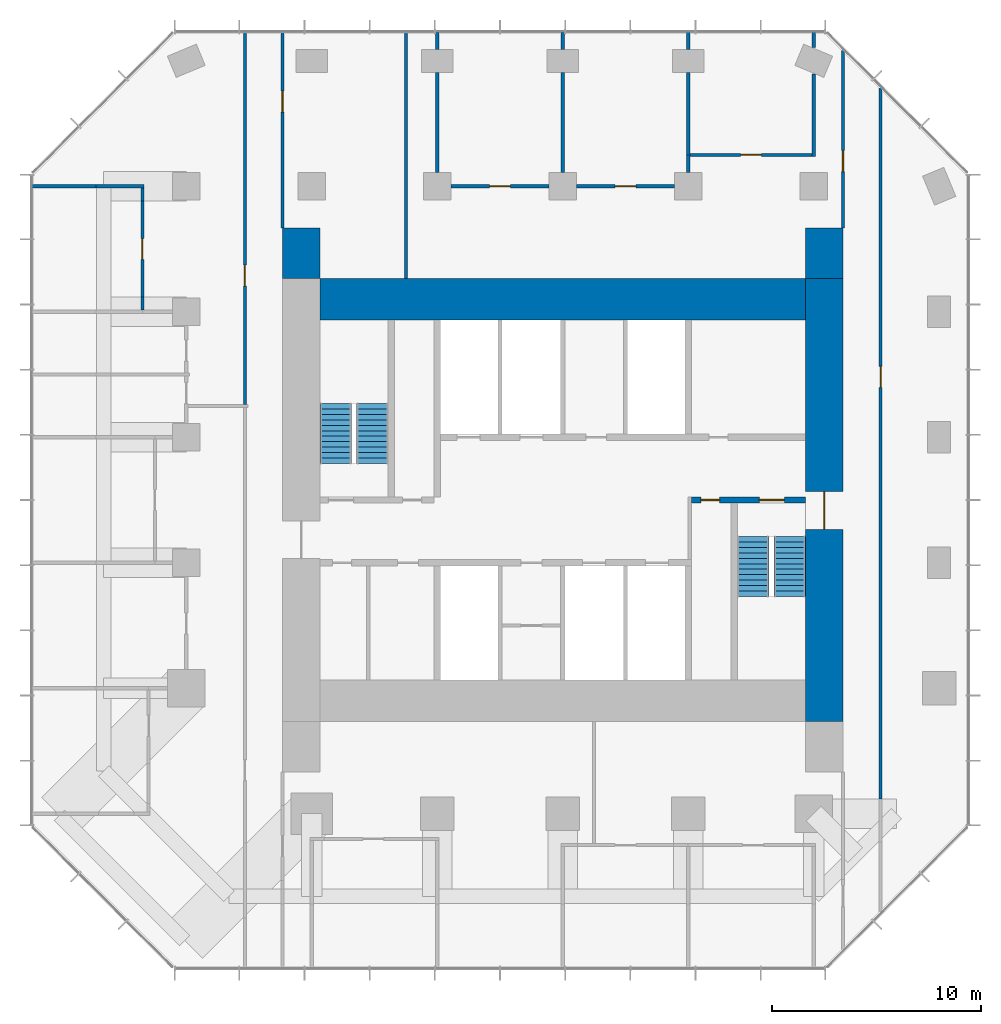
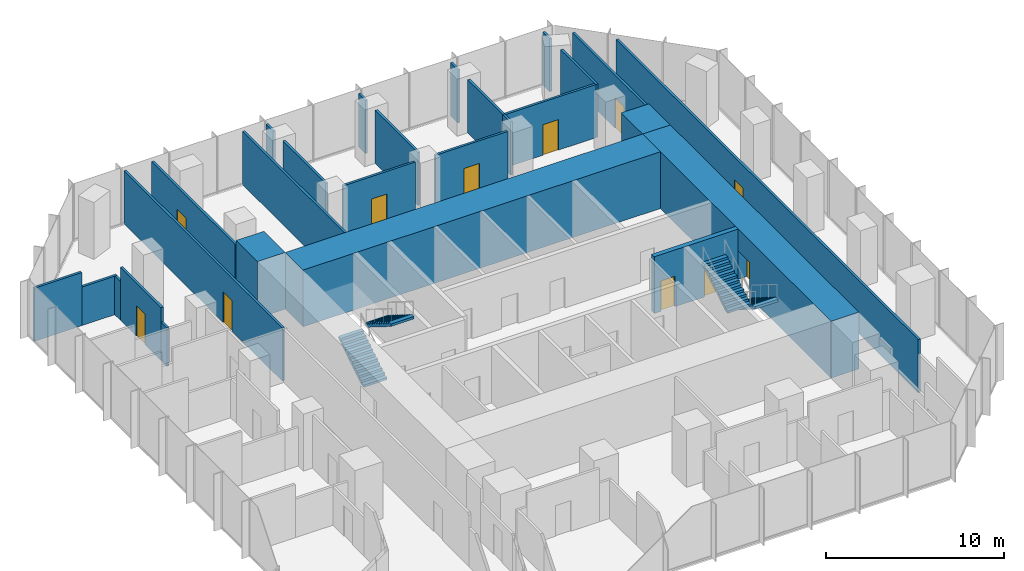
# One storey, part 10 of 11: 27 walls, 11 doors, 4 stair flights, 11 openings, 2 elements without a shape of their own.
"""IFC4 building model written with IfcOpenShell, lengths in metres."""

import ifcopenshell
import ifcopenshell.guid

model = None  # the IFC model being written
_history = None  # IfcOwnerHistory: only IFC2X3 demands one
_inside = {}  # id of a spatial element -> (the spatial element, [elements in it])
_under = {}  # id of a project, library or spatial element -> (it, [spatial elements below it])
_declared = {}  # id of a project -> (the project, [libraries it declares])
_typed = {}  # id of a type object -> (the type object, [elements of that type])
_made_of = {}  # id of a material, layer set ... -> (it, [elements and type objects made of it])


def new_model(schema):
    """Start an empty IFC model of exactly this schema.

    Asked for "IFC4X3", IfcOpenShell would pick the latest addendum, in which some entities
    have other attributes; the version numbers below select the first issue.
    IFC2X3 requires an IfcOwnerHistory on every rooted entity: one is made here for all.
    """
    global model, _history
    if schema == "IFC4X3":
        model = ifcopenshell.file(schema_version=(4, 3, 0, 0))
    else:
        model = ifcopenshell.file(schema=schema)
    _inside.clear()
    _under.clear()
    _declared.clear()
    _typed.clear()
    _made_of.clear()
    _history = None
    if model.schema == "IFC2X3":
        org = make("IfcOrganization", Name="unknown")
        user = make(
            "IfcPersonAndOrganization",
            ThePerson=make("IfcPerson", FamilyName="unknown"),
            TheOrganization=org,
        )
        app = make(
            "IfcApplication",
            ApplicationDeveloper=org,
            Version="unknown",
            ApplicationFullName="unknown",
            ApplicationIdentifier="unknown",
        )
        _history = make(
            "IfcOwnerHistory",
            OwningUser=user,
            OwningApplication=app,
            ChangeAction="ADDED",
            CreationDate=0,
        )
    return model


def make(cls, **values):
    """One entity of the class cls with the attributes given. An attribute that is None is left unset."""
    return model.create_entity(
        cls, **{name: value for name, value in values.items() if value is not None}
    )


def rooted(cls, **values):
    """An entity with a GlobalId (a new one), such as an element, a storey or a relation."""
    return make(cls, GlobalId=ifcopenshell.guid.new(), OwnerHistory=_history, **values)


def si_unit(unit_type, name, prefix=None):
    """IfcSIUnit, for example si_unit("LENGTHUNIT", "METRE", prefix="MILLI")."""
    return make("IfcSIUnit", UnitType=unit_type, Prefix=prefix, Name=name)


def assignment(units):
    """IfcUnitAssignment: the units of a project."""
    return None if units is None else make("IfcUnitAssignment", Units=units)


def point(xyz):
    """IfcCartesianPoint."""
    return None if xyz is None else make("IfcCartesianPoint", Coordinates=xyz)


def direction(xyz):
    """IfcDirection."""
    return None if xyz is None else make("IfcDirection", DirectionRatios=xyz)


def frame(location, z_axis=None, x_axis=None):
    """IfcAxis2Placement3D, a coordinate frame: its origin and axes. An axis left out is left unset."""
    return make(
        "IfcAxis2Placement3D",
        Location=point(location),
        Axis=direction(z_axis),
        RefDirection=direction(x_axis),
    )


def frame_2d(location, x_axis=None):
    """IfcAxis2Placement2D, a coordinate frame in the plane: its origin and x axis."""
    return make(
        "IfcAxis2Placement2D", Location=point(location), RefDirection=direction(x_axis)
    )


def origin():
    """The frame at (0, 0, 0) with its axes left unset."""
    return frame((0.0, 0.0, 0.0))


def place(relative_to, where):
    """IfcLocalPlacement: puts the frame where relative to a parent placement (None: the world)."""
    return make(
        "IfcLocalPlacement", PlacementRelTo=relative_to, RelativePlacement=where
    )


def context(
    kind, dimensions, precision=None, world=None, true_north=None, identifier=None
):
    """IfcGeometricRepresentationContext, for example the 3D "Model" context."""
    return make(
        "IfcGeometricRepresentationContext",
        ContextIdentifier=identifier,
        ContextType=kind,
        CoordinateSpaceDimension=dimensions,
        Precision=precision,
        WorldCoordinateSystem=world,
        TrueNorth=true_north,
    )


def subcontext(parent, identifier, kind, view, scale=None):
    """IfcGeometricRepresentationSubContext, for example "Body" below "Model"."""
    return make(
        "IfcGeometricRepresentationSubContext",
        ContextIdentifier=identifier,
        ContextType=kind,
        ParentContext=parent,
        TargetScale=scale,
        TargetView=view,
    )


def project(units=None, contexts=None):
    """IfcProject with its units and contexts."""
    return rooted(
        "IfcProject",
        Name="project",
        RepresentationContexts=contexts,
        UnitsInContext=assignment(units),
    )


def spatial(cls, under=None, at=None, **own):
    """A site, building, storey or space (cls), placed at a placement, below another one or the project."""
    s = rooted(cls, ObjectPlacement=at, **own)
    if under is not None:
        _under.setdefault(under.id(), (under, []))[1].append(s)
    return s


def polyline(points):
    """IfcPolyline through the points."""
    return make("IfcPolyline", Points=[point(p) for p in points])


def profile(cls, at=None, kind="AREA", **sizes):
    """A parametric profile (cls). Its sizes go by their IFC names, for example OverallWidth=200.0."""
    return make(cls, ProfileType=kind, Position=at, **sizes)


def rectangle(**sizes):
    """IfcRectangleProfileDef."""
    return profile("IfcRectangleProfileDef", **sizes)


def outline(outer, holes=None, kind="AREA"):
    """IfcArbitraryClosedProfileDef: a profile drawn as a closed curve; with holes, ...WithVoids."""
    if holes is None:
        return make("IfcArbitraryClosedProfileDef", ProfileType=kind, OuterCurve=outer)
    return make(
        "IfcArbitraryProfileDefWithVoids",
        ProfileType=kind,
        OuterCurve=outer,
        InnerCurves=holes,
    )


def extrude(swept, where, along, depth):
    """IfcExtrudedAreaSolid: the profile swept, set in the frame where, extruded along a direction by depth."""
    return make(
        "IfcExtrudedAreaSolid",
        SweptArea=swept,
        Position=where,
        ExtrudedDirection=direction(along),
        Depth=depth,
    )


def shape(context_of_items, identifier, shape_type, items):
    """IfcShapeRepresentation: the items that make up one representation, for example the "Body"."""
    return make(
        "IfcShapeRepresentation",
        ContextOfItems=context_of_items,
        RepresentationIdentifier=identifier,
        RepresentationType=shape_type,
        Items=items,
    )


def material(Name=None, Category=None):
    """IfcMaterial."""
    return make("IfcMaterial", Name=Name, Category=Category)


def layer(
    of_material, thickness, ventilated=None, Name=None, Category=None, Priority=None
):
    """IfcMaterialLayer: one layer of a wall or slab, of a material (None: an air gap)."""
    return make(
        "IfcMaterialLayer",
        Material=of_material,
        LayerThickness=thickness,
        IsVentilated=ventilated,
        Name=Name,
        Category=Category,
        Priority=Priority,
    )


def layer_set(layers, Name=None):
    """IfcMaterialLayerSet."""
    return make("IfcMaterialLayerSet", MaterialLayers=layers, LayerSetName=Name)


def made_of(thing, what):
    """Note that an element or type object is made of a material, layer set ...; save() writes the relation."""
    if what is not None:
        _made_of.setdefault(what.id(), (what, []))[1].append(thing)
    return thing


def type_object(cls, material=None, **own):
    """A type object (cls), such as IfcWallType, which elements share."""
    return made_of(rooted(cls, **own), material)


def element(
    cls,
    number,
    at=None,
    inside=None,
    cuts=None,
    type_object=None,
    material=None,
    context=None,
    identifier="Body",
    shape_type=None,
    held_by="IfcProductDefinitionShape",
    body=None,
    shapes=None,
    **own,
):
    """One element of the class cls, such as IfcWall. Its Tag is "e" and its number.

    at: its placement. inside: the storey or other place that contains it. cuts: it is an
    opening in that element (IfcRelVoidsElement). A single representation is given by context,
    identifier, shape_type and body (its items); several are given by shapes. held_by: the class
    of the entity that holds the representations. save() writes the other relations.
    """
    e = rooted(cls, Tag="e%d" % number, ObjectPlacement=at, **own)
    if body is not None:
        shapes = [shape(context, identifier, shape_type, body)]
    if shapes is not None:
        e.Representation = make(held_by, Representations=shapes)
    if inside is not None:
        _inside.setdefault(inside.id(), (inside, []))[1].append(e)
    if cuts is not None:
        rooted(
            "IfcRelVoidsElement", RelatingBuildingElement=cuts, RelatedOpeningElement=e
        )
    if type_object is not None:
        _typed.setdefault(type_object.id(), (type_object, []))[1].append(e)
    return made_of(e, material)


def fill(opening, filler):
    """IfcRelFillsElement: the door or window that sits in an opening."""
    return rooted(
        "IfcRelFillsElement",
        RelatingOpeningElement=opening,
        RelatedBuildingElement=filler,
    )


def aggregate(whole, parts):
    """IfcRelAggregates: a whole, such as a stair, and the parts it consists of."""
    return rooted("IfcRelAggregates", RelatingObject=whole, RelatedObjects=parts)


def save(model, path):
    """Write the relations noted so far, then the file.

    IfcRelAggregates (storeys below a building ...), IfcRelContainedInSpatialStructure (elements
    in a storey), IfcRelDefinesByType, IfcRelAssociatesMaterial and IfcRelDeclares: one each for
    every whole, place, type object, material and project.
    """
    for whole, parts in _under.values():
        aggregate(whole, parts)
    for where, things in _inside.values():
        rooted(
            "IfcRelContainedInSpatialStructure",
            RelatedElements=things,
            RelatingStructure=where,
        )
    for kind, things in _typed.values():
        rooted("IfcRelDefinesByType", RelatedObjects=things, RelatingType=kind)
    for what, things in _made_of.values():
        rooted("IfcRelAssociatesMaterial", RelatedObjects=things, RelatingMaterial=what)
    for by, libraries in _declared.values():
        rooted("IfcRelDeclares", RelatingContext=by, RelatedDefinitions=libraries)
    model.write(path)


model = new_model("IFC4")

# Units and contexts
model_context = context("Model", 3, precision=1e-05, world=origin(), true_north=direction((0.0, 1.0)))
body_context = subcontext(model_context, "Body", "Model", "MODEL_VIEW")
ifc_project = project(units=[si_unit("LENGTHUNIT", "METRE"), si_unit("AREAUNIT", "SQUARE_METRE"), si_unit("VOLUMEUNIT", "CUBIC_METRE"), si_unit("PLANEANGLEUNIT", "RADIAN"), si_unit("MASSUNIT", "GRAM", prefix="KILO")], contexts=[model_context])

# Site, building, storey
site_placement = place(None, origin())
site = spatial("IfcSite", under=ifc_project, at=site_placement, CompositionType="ELEMENT")
building_placement = place(site_placement, origin())
building = spatial("IfcBuilding", under=site, at=building_placement, Name="Highveld Stack Headquarters", CompositionType="ELEMENT")
storey_placement = place(building_placement, frame((0.0, 0.0, 220.10009765625)))
storey = spatial("IfcBuildingStorey", under=building, at=storey_placement, Name="L54", CompositionType="ELEMENT", Elevation=220.10009765625)

# Wall, opening, door
ifc_material_1 = material(Name="Concrete C60/75", Category="concrete")
ifc_layer_1 = layer(ifc_material_1, 1.800048828125)
ifc_layer_set_1 = layer_set([ifc_layer_1], Name="Concrete C60/75")
wall_type_1 = type_object("IfcWallType", Name="CORE WALL 1800 C60/75", PredefinedType="SHEAR", material=ifc_layer_set_1)
wall_1_placement = place(storey_placement, frame((18.5, -7.60009765625, 0.0), z_axis=(0.0, 0.0, 1.0), x_axis=(0.0, 1.0, 0.0)))
wall_1 = element("IfcWall", 1, at=wall_1_placement, inside=storey, type_object=wall_type_1, Name="Core wall E L54", PredefinedType="SHEAR", context=body_context, shape_type="SweptSolid", body=[
    extrude(rectangle(XDim=21.2001953125, YDim=1.800048828125, at=frame_2d((10.60009765625, 0.0))), origin(), (0.0, 0.0, 1.0), 3.89990234375),
])
opening_1_placement = place(wall_1_placement, frame((9.199951171875, 0.0, 0.0)))
opening_1 = element("IfcOpeningElement", 2, at=opening_1_placement, cuts=wall_1, Name="Opening L54-02", PredefinedType="OPENING", context=body_context, shape_type="SweptSolid", body=[
    extrude(rectangle(XDim=1.800048828125, YDim=2.39990234375, at=frame_2d((0.89990234375, 1.199951171875))), frame((0.0, 0.909912109375, 0.0), z_axis=(0.0, -1.0, 0.0), x_axis=(1.0, 0.0, 0.0)), (0.0, 0.0, 1.0), 1.820068359375),
])
ifc_material_2 = material(Name="Steel fire door", Category="steel")
door_type_1 = type_object("IfcDoorType", Name="LOBBY FIRE DOOR D4 1800x2400", OperationType="DOUBLE_DOOR_SINGLE_SWING", PredefinedType="DOOR", material=ifc_material_2)
door_1_placement = place(opening_1_placement, origin())
door_1 = element("IfcDoor", 3, at=door_1_placement, inside=storey, type_object=door_type_1, Name="Core east door L54", OperationType="DOUBLE_DOOR_SINGLE_SWING", OverallHeight=2.39990234375, OverallWidth=1.800048828125, PredefinedType="DOOR", context=body_context, shape_type="SweptSolid", body=[
    extrude(rectangle(XDim=1.800048828125, YDim=2.39990234375, at=frame_2d((0.89990234375, 1.199951171875))), frame((0.0, 0.02490234375, 0.0), z_axis=(0.0, -1.0, 0.0), x_axis=(1.0, 0.0, 0.0)), (0.0, 0.0, 1.0), 0.050048828125),
])
fill(opening_1, door_1)

# Wall
ifc_material_3 = material(Name="Concrete C60/75", Category="concrete")
ifc_layer_2 = layer(ifc_material_3, 2.0)
ifc_layer_set_2 = layer_set([ifc_layer_2], Name="Concrete C60/75")
wall_type_2 = type_object("IfcWallType", Name="CORE WALL 2000 C60/75", PredefinedType="SHEAR", material=ifc_layer_set_2)
wall_2_placement = place(storey_placement, frame((-5.60009765625, 12.60009765625, 0.0), z_axis=(0.0, 0.0, 1.0), x_axis=(1.0, 0.0, 0.0)))
element("IfcWall", 4, at=wall_2_placement, inside=storey, type_object=wall_type_2, Name="Core wall N L54", PredefinedType="SHEAR", context=body_context, shape_type="SweptSolid", body=[
    extrude(rectangle(XDim=23.2001953125, YDim=2.0, at=frame_2d((11.60009765625, 0.0))), origin(), (0.0, 0.0, 1.0), 3.89990234375),
])

# Wall, openings, doors
ifc_material_4 = material(Name="Concrete C60/75", Category="concrete")
ifc_layer_3 = layer(ifc_material_4, 0.300048828125)
ifc_layer_set_3 = layer_set([ifc_layer_3], Name="Concrete C60/75")
wall_type_3 = type_object("IfcWallType", Name="CORE WALL 300 C60/75", PredefinedType="SHEAR", material=ifc_layer_set_3)
wall_3_placement = place(storey_placement, frame((12.14990234375, 3.0, 0.0), z_axis=(0.0, 0.0, 1.0), x_axis=(1.0, 0.0, 0.0)))
wall_3 = element("IfcWall", 5, at=wall_3_placement, inside=storey, type_object=wall_type_3, Name="Core wall I-Y3E L54", PredefinedType="SHEAR", context=body_context, shape_type="SweptSolid", body=[
    extrude(rectangle(XDim=5.4501953125, YDim=0.300048828125, at=frame_2d((2.72509765625, 0.0))), origin(), (0.0, 0.0, 1.0), 3.89990234375),
])
opening_2_placement = place(wall_3_placement, frame((3.25, 0.0, 0.0)))
opening_2 = element("IfcOpeningElement", 6, at=opening_2_placement, cuts=wall_3, Name="Opening L54-05", PredefinedType="OPENING", context=body_context, shape_type="SweptSolid", body=[
    extrude(rectangle(XDim=1.199951171875, YDim=2.10009765625, at=frame_2d((0.60009765625, 1.050048828125))), frame((0.0, 0.159912109375, 0.0), z_axis=(0.0, -1.0, 0.0), x_axis=(1.0, 0.0, 0.0)), (0.0, 0.0, 1.0), 0.320068359375),
])
opening_3_placement = place(wall_3_placement, frame((0.449951171875, 0.0, 0.0)))
opening_3 = element("IfcOpeningElement", 7, at=opening_3_placement, cuts=wall_3, Name="Opening L54-06", PredefinedType="OPENING", context=body_context, shape_type="SweptSolid", body=[
    extrude(rectangle(XDim=0.89990234375, YDim=2.10009765625, at=frame_2d((0.449951171875, 1.050048828125))), frame((0.0, 0.159912109375, 0.0), z_axis=(0.0, -1.0, 0.0), x_axis=(1.0, 0.0, 0.0)), (0.0, 0.0, 1.0), 0.320068359375),
])
ifc_material_5 = material(Name="Steel fire door", Category="steel")
door_type_2 = type_object("IfcDoorType", Name="RISER ACCESS DOOR D5 900x2100", OperationType="SINGLE_SWING_LEFT", PredefinedType="DOOR", material=ifc_material_5)
door_2_placement = place(opening_3_placement, origin())
door_2 = element("IfcDoor", 8, at=door_2_placement, inside=storey, type_object=door_type_2, Name="Riser R2 door L54", OperationType="SINGLE_SWING_LEFT", OverallHeight=2.10009765625, OverallWidth=0.89990234375, PredefinedType="DOOR", context=body_context, shape_type="SweptSolid", body=[
    extrude(rectangle(XDim=0.89990234375, YDim=2.10009765625, at=frame_2d((0.449951171875, 1.050048828125))), frame((0.0, 0.02490234375, 0.0), z_axis=(0.0, -1.0, 0.0), x_axis=(1.0, 0.0, 0.0)), (0.0, 0.0, 1.0), 0.050048828125),
])
fill(opening_3, door_2)
ifc_material_6 = material(Name="Steel fire door", Category="steel")
door_type_3 = type_object("IfcDoorType", Name="STAIR FIRE DOOR D3 1200x2100", OperationType="SINGLE_SWING_LEFT", PredefinedType="DOOR", material=ifc_material_6)
door_3_placement = place(opening_2_placement, origin())
door_3 = element("IfcDoor", 9, at=door_3_placement, inside=storey, type_object=door_type_3, Name="Stair S2 door L54", OperationType="SINGLE_SWING_RIGHT", OverallHeight=2.10009765625, OverallWidth=1.199951171875, PredefinedType="DOOR", context=body_context, shape_type="SweptSolid", body=[
    extrude(rectangle(XDim=1.199951171875, YDim=2.10009765625, at=frame_2d((0.60009765625, 1.050048828125))), frame((0.0, 0.02490234375, 0.0), z_axis=(0.0, -1.0, 0.0), x_axis=(1.0, 0.0, 0.0)), (0.0, 0.0, 1.0), 0.050048828125),
])
fill(opening_2, door_3)

# Walls
ifc_material_7 = material(Name="Concrete C60/75", Category="concrete")
ifc_layer_4 = layer(ifc_material_7, 1.800048828125)
ifc_layer_set_4 = layer_set([ifc_layer_4], Name="Concrete C60/75")
wall_type_4 = type_object("IfcWallType", Name="CORE WING WALL 1800 C60/75", PredefinedType="SHEAR", material=ifc_layer_set_4)
for number, where, z_axis, x_axis, name in (
    (10, (-6.5, 13.60009765625, 0.0), (0.0, 0.0, 1.0), (0.0, 1.0, 0.0), "Core wing wall WN L54"),
    (11, (18.5, 13.60009765625, 0.0), (0.0, 0.0, 1.0), (0.0, 1.0, 0.0), "Core wing wall EN L54"),
):
    element("IfcWall", number, at=place(storey_placement, frame(where, z_axis=z_axis, x_axis=x_axis)), inside=storey, type_object=wall_type_4, Name=name, PredefinedType="SHEAR", context=body_context, shape_type="SweptSolid", body=[
        extrude(rectangle(XDim=2.39990234375, YDim=1.800048828125, at=frame_2d((1.199951171875, 0.0))), origin(), (0.0, 0.0, 1.0), 3.89990234375),
    ])
ifc_material_8 = material(Name="Gypsum plasterboard on steel studs", Category="steel")
ifc_layer_5 = layer(ifc_material_8, 0.14990234375)
ifc_layer_set_5 = layer_set([ifc_layer_5], Name="Gypsum plasterboard on steel studs")
wall_type_5 = type_object("IfcWallType", Name="PARTITION 150 PLASTERBOARD", PredefinedType="PARTITIONING", material=ifc_layer_set_5)
wall_4_placement = place(storey_placement, frame((-19.39990234375, 18.0, 0.0), z_axis=(0.0, 0.0, 1.0), x_axis=(1.0, 0.0, 0.0)))
element("IfcWall", 12, at=wall_4_placement, inside=storey, type_object=wall_type_5, Name="Partition Focus room L54", PredefinedType="PARTITIONING", context=body_context, shape_type="SweptSolid", body=[
    extrude(rectangle(XDim=3.08984375, YDim=0.14990234375, at=frame_2d((1.544921875, 0.0))), origin(), (0.0, 0.0, 1.0), 3.64990234375),
])
wall_5_placement = place(storey_placement, frame((-16.31005859375, 18.0, 0.0), z_axis=(0.0, 0.0, 1.0), x_axis=(1.0, 0.0, 0.0)))
element("IfcWall", 13, at=wall_5_placement, inside=storey, type_object=wall_type_5, Name="Partition Focus room L54", PredefinedType="PARTITIONING", context=body_context, shape_type="SweptSolid", body=[
    extrude(rectangle(XDim=2.28515625, YDim=0.14990234375, at=frame_2d((1.142578125, 0.0))), origin(), (0.0, 0.0, 1.0), 2.64990234375),
])

# Wall, opening, door
wall_6_placement = place(storey_placement, frame((0.64990234375, 18.0, 0.0), z_axis=(0.0, 0.0, 1.0), x_axis=(1.0, 0.0, 0.0)))
wall_6 = element("IfcWall", 14, at=wall_6_placement, inside=storey, type_object=wall_type_5, Name="Partition Office L54", PredefinedType="PARTITIONING", context=body_context, shape_type="SweptSolid", body=[
    extrude(rectangle(XDim=4.7001953125, YDim=0.14990234375, at=frame_2d((2.35009765625, 0.0))), origin(), (0.0, 0.0, 1.0), 3.64990234375),
])
opening_4_placement = place(wall_6_placement, frame((1.85009765625, 0.0, 0.0)))
opening_4 = element("IfcOpeningElement", 15, at=opening_4_placement, cuts=wall_6, Name="Opening L54-22", PredefinedType="OPENING", context=body_context, shape_type="SweptSolid", body=[
    extrude(rectangle(XDim=1.0, YDim=2.10009765625, at=frame_2d((0.5, 1.050048828125))), frame((0.0, 0.0849609375, 0.0), z_axis=(0.0, -1.0, 0.0), x_axis=(1.0, 0.0, 0.0)), (0.0, 0.0, 1.0), 0.169921875),
])
ifc_material_9 = material(Name="Timber door, oiled ash", Category="wood")
door_type_4 = type_object("IfcDoorType", Name="ROOM DOOR D6 1000x2100", OperationType="SINGLE_SWING_LEFT", PredefinedType="DOOR", material=ifc_material_9)
door_4_placement = place(opening_4_placement, origin())
door_4 = element("IfcDoor", 16, at=door_4_placement, inside=storey, type_object=door_type_4, Name="Office door 1 L54", OperationType="SINGLE_SWING_LEFT", OverallHeight=2.10009765625, OverallWidth=1.0, PredefinedType="DOOR", context=body_context, shape_type="SweptSolid", body=[
    extrude(rectangle(XDim=1.0, YDim=2.10009765625, at=frame_2d((0.5, 1.050048828125))), frame((0.0, 0.02490234375, 0.0), z_axis=(0.0, -1.0, 0.0), x_axis=(1.0, 0.0, 0.0)), (0.0, 0.0, 1.0), 0.050048828125),
])
fill(opening_4, door_4)

wall_7_placement = place(storey_placement, frame((6.64990234375, 18.0, 0.0), z_axis=(0.0, 0.0, 1.0), x_axis=(1.0, 0.0, 0.0)))
wall_7 = element("IfcWall", 17, at=wall_7_placement, inside=storey, type_object=wall_type_5, Name="Partition Office L54", PredefinedType="PARTITIONING", context=body_context, shape_type="SweptSolid", body=[
    extrude(rectangle(XDim=4.7001953125, YDim=0.14990234375, at=frame_2d((2.35009765625, 0.0))), origin(), (0.0, 0.0, 1.0), 3.64990234375),
])
opening_5_placement = place(wall_7_placement, frame((1.85009765625, 0.0, 0.0)))
opening_5 = element("IfcOpeningElement", 18, at=opening_5_placement, cuts=wall_7, Name="Opening L54-23", PredefinedType="OPENING", context=body_context, shape_type="SweptSolid", body=[
    extrude(rectangle(XDim=1.0, YDim=2.10009765625, at=frame_2d((0.5, 1.050048828125))), frame((0.0, 0.0849609375, 0.0), z_axis=(0.0, -1.0, 0.0), x_axis=(1.0, 0.0, 0.0)), (0.0, 0.0, 1.0), 0.169921875),
])
door_5_placement = place(opening_5_placement, origin())
door_5 = element("IfcDoor", 19, at=door_5_placement, inside=storey, type_object=door_type_4, Name="Office door 1 L54", OperationType="SINGLE_SWING_RIGHT", OverallHeight=2.10009765625, OverallWidth=1.0, PredefinedType="DOOR", context=body_context, shape_type="SweptSolid", body=[
    extrude(rectangle(XDim=1.0, YDim=2.10009765625, at=frame_2d((0.5, 1.050048828125))), frame((0.0, 0.02490234375, 0.0), z_axis=(0.0, -1.0, 0.0), x_axis=(1.0, 0.0, 0.0)), (0.0, 0.0, 1.0), 0.050048828125),
])
fill(opening_5, door_5)

wall_8_placement = place(storey_placement, frame((12.074951171875, 19.5, 0.0), z_axis=(0.0, 0.0, 1.0), x_axis=(1.0, 0.0, 0.0)))
wall_8 = element("IfcWall", 20, at=wall_8_placement, inside=storey, type_object=wall_type_5, Name="Partition Quiet room L54", PredefinedType="PARTITIONING", context=body_context, shape_type="SweptSolid", body=[
    extrude(rectangle(XDim=5.85009765625, YDim=0.14990234375, at=frame_2d((2.925048828125, 0.0))), origin(), (0.0, 0.0, 1.0), 3.64990234375),
])
opening_6_placement = place(wall_8_placement, frame((2.425048828125, 0.0, 0.0)))
opening_6 = element("IfcOpeningElement", 21, at=opening_6_placement, cuts=wall_8, Name="Opening L54-24", PredefinedType="OPENING", context=body_context, shape_type="SweptSolid", body=[
    extrude(rectangle(XDim=1.0, YDim=2.10009765625, at=frame_2d((0.5, 1.050048828125))), frame((0.0, 0.0849609375, 0.0), z_axis=(0.0, -1.0, 0.0), x_axis=(1.0, 0.0, 0.0)), (0.0, 0.0, 1.0), 0.169921875),
])
door_6_placement = place(opening_6_placement, origin())
door_6 = element("IfcDoor", 22, at=door_6_placement, inside=storey, type_object=door_type_4, Name="Quiet room door 1 L54", OperationType="SINGLE_SWING_RIGHT", OverallHeight=2.10009765625, OverallWidth=1.0, PredefinedType="DOOR", context=body_context, shape_type="SweptSolid", body=[
    extrude(rectangle(XDim=1.0, YDim=2.10009765625, at=frame_2d((0.5, 1.050048828125))), frame((0.0, 0.02490234375, 0.0), z_axis=(0.0, -1.0, 0.0), x_axis=(1.0, 0.0, 0.0)), (0.0, 0.0, 1.0), 0.050048828125),
])
fill(opening_6, door_6)

# Wall
wall_9_placement = place(storey_placement, frame((-14.10009765625, 12.074951171875, 0.0), z_axis=(0.0, 0.0, 1.0), x_axis=(0.0, 1.0, 0.0)))
element("IfcWall", 23, at=wall_9_placement, inside=storey, type_object=wall_type_5, Name="Partition Focus room L54", PredefinedType="PARTITIONING", context=body_context, shape_type="SweptSolid", body=[
    extrude(rectangle(XDim=0.635009765625, YDim=0.14990234375, at=frame_2d((0.3173828125, 0.0))), origin(), (0.0, 0.0, 1.0), 2.64990234375),
])

# Wall, opening, door
wall_10_placement = place(storey_placement, frame((-14.10009765625, 12.7099609375, 0.0), z_axis=(0.0, 0.0, 1.0), x_axis=(0.0, 1.0, 0.0)))
wall_10 = element("IfcWall", 24, at=wall_10_placement, inside=storey, type_object=wall_type_5, Name="Partition Focus room L54", PredefinedType="PARTITIONING", context=body_context, shape_type="SweptSolid", body=[
    extrude(rectangle(XDim=4.580078125, YDim=0.14990234375, at=frame_2d((2.2900390625, 0.0))), origin(), (0.0, 0.0, 1.0), 3.64990234375),
])
opening_7_placement = place(wall_10_placement, frame((1.7900390625, 0.0, 0.0)))
opening_7 = element("IfcOpeningElement", 25, at=opening_7_placement, cuts=wall_10, Name="Opening L54-21", PredefinedType="OPENING", context=body_context, shape_type="SweptSolid", body=[
    extrude(rectangle(XDim=1.0, YDim=2.10009765625, at=frame_2d((0.5, 1.050048828125))), frame((0.0, 0.0849609375, 0.0), z_axis=(0.0, -1.0, 0.0), x_axis=(1.0, 0.0, 0.0)), (0.0, 0.0, 1.0), 0.169921875),
])
door_7_placement = place(opening_7_placement, origin())
door_7 = element("IfcDoor", 26, at=door_7_placement, inside=storey, type_object=door_type_4, Name="Focus room door 1 L54", OperationType="SINGLE_SWING_RIGHT", OverallHeight=2.10009765625, OverallWidth=1.0, PredefinedType="DOOR", context=body_context, shape_type="SweptSolid", body=[
    extrude(rectangle(XDim=1.0, YDim=2.10009765625, at=frame_2d((0.5, 1.050048828125))), frame((0.0, 0.02490234375, 0.0), z_axis=(0.0, -1.0, 0.0), x_axis=(1.0, 0.0, 0.0)), (0.0, 0.0, 1.0), 0.050048828125),
])
fill(opening_7, door_7)

# Walls
wall_11_placement = place(storey_placement, frame((-14.10009765625, 17.2900390625, 0.0), z_axis=(0.0, 0.0, 1.0), x_axis=(0.0, 1.0, 0.0)))
element("IfcWall", 27, at=wall_11_placement, inside=storey, type_object=wall_type_5, Name="Partition Focus room L54", PredefinedType="PARTITIONING", context=body_context, shape_type="SweptSolid", body=[
    extrude(rectangle(XDim=0.635009765625, YDim=0.14990234375, at=frame_2d((0.3173828125, 0.0))), origin(), (0.0, 0.0, 1.0), 2.64990234375),
])
wall_12_placement = place(storey_placement, frame((0.0, 18.64990234375, 0.0), z_axis=(0.0, 0.0, 1.0), x_axis=(0.0, 1.0, 0.0)))
element("IfcWall", 28, at=wall_12_placement, inside=storey, type_object=wall_type_5, Name="Partition Office L54", PredefinedType="PARTITIONING", context=body_context, shape_type="SweptSolid", body=[
    extrude(rectangle(XDim=4.800048828125, YDim=0.14990234375, at=frame_2d((2.39990234375, 0.0))), origin(), (0.0, 0.0, 1.0), 3.64990234375),
])
wall_13_placement = place(storey_placement, frame((0.0, 24.550048828125, 0.0), z_axis=(0.0, 0.0, 1.0), x_axis=(0.0, 1.0, 0.0)))
element("IfcWall", 29, at=wall_13_placement, inside=storey, type_object=wall_type_5, Name="Partition Office L54", PredefinedType="PARTITIONING", context=body_context, shape_type="SweptSolid", body=[
    extrude(rectangle(XDim=0.800048828125, YDim=0.14990234375, at=frame_2d((0.39990234375, 0.0))), origin(), (0.0, 0.0, 1.0), 3.64990234375),
])
wall_14_placement = place(storey_placement, frame((6.0, 18.64990234375, 0.0), z_axis=(0.0, 0.0, 1.0), x_axis=(0.0, 1.0, 0.0)))
element("IfcWall", 30, at=wall_14_placement, inside=storey, type_object=wall_type_5, Name="Partition Office L54", PredefinedType="PARTITIONING", context=body_context, shape_type="SweptSolid", body=[
    extrude(rectangle(XDim=4.800048828125, YDim=0.14990234375, at=frame_2d((2.39990234375, 0.0))), origin(), (0.0, 0.0, 1.0), 3.64990234375),
])
wall_15_placement = place(storey_placement, frame((6.0, 24.550048828125, 0.0), z_axis=(0.0, 0.0, 1.0), x_axis=(0.0, 1.0, 0.0)))
element("IfcWall", 31, at=wall_15_placement, inside=storey, type_object=wall_type_5, Name="Partition Office L54", PredefinedType="PARTITIONING", context=body_context, shape_type="SweptSolid", body=[
    extrude(rectangle(XDim=0.800048828125, YDim=0.14990234375, at=frame_2d((0.39990234375, 0.0))), origin(), (0.0, 0.0, 1.0), 3.64990234375),
])
wall_16_placement = place(storey_placement, frame((12.0, 18.64990234375, 0.0), z_axis=(0.0, 0.0, 1.0), x_axis=(0.0, 1.0, 0.0)))
element("IfcWall", 32, at=wall_16_placement, inside=storey, type_object=wall_type_5, Name="Partition Office L54", PredefinedType="PARTITIONING", context=body_context, shape_type="SweptSolid", body=[
    extrude(rectangle(XDim=0.85009765625, YDim=0.14990234375, at=frame_2d((0.425048828125, 0.0))), origin(), (0.0, 0.0, 1.0), 3.64990234375),
])
wall_17_placement = place(storey_placement, frame((12.0, 19.5, 0.0), z_axis=(0.0, 0.0, 1.0), x_axis=(0.0, 1.0, 0.0)))
element("IfcWall", 33, at=wall_17_placement, inside=storey, type_object=wall_type_5, Name="Partition Office / Quiet room L54", PredefinedType="PARTITIONING", context=body_context, shape_type="SweptSolid", body=[
    extrude(rectangle(XDim=3.949951171875, YDim=0.14990234375, at=frame_2d((1.97509765625, 0.0))), origin(), (0.0, 0.0, 1.0), 3.64990234375),
])
wall_18_placement = place(storey_placement, frame((12.0, 24.550048828125, 0.0), z_axis=(0.0, 0.0, 1.0), x_axis=(0.0, 1.0, 0.0)))
element("IfcWall", 34, at=wall_18_placement, inside=storey, type_object=wall_type_5, Name="Partition Office / Quiet room L54", PredefinedType="PARTITIONING", context=body_context, shape_type="SweptSolid", body=[
    extrude(rectangle(XDim=0.849853515625, YDim=0.14990234375, at=frame_2d((0.4248046875, 0.0))), origin(), (0.0, 0.0, 1.0), 3.64990234375),
])
wall_19_placement = place(storey_placement, frame((18.0, 19.425048828125, 0.0), z_axis=(0.0, 0.0, 1.0), x_axis=(0.0, 1.0, 0.0)))
element("IfcWall", 35, at=wall_19_placement, inside=storey, type_object=wall_type_5, Name="Partition Quiet room L54", PredefinedType="PARTITIONING", context=body_context, shape_type="SweptSolid", body=[
    extrude(rectangle(XDim=3.948486328125, YDim=0.14990234375, at=frame_2d((1.97412109375, 0.0))), origin(), (0.0, 0.0, 1.0), 3.64990234375),
])
wall_20_placement = place(storey_placement, frame((18.0, 24.62646484375, 0.0), z_axis=(0.0, 0.0, 1.0), x_axis=(0.0, 1.0, 0.0)))
element("IfcWall", 36, at=wall_20_placement, inside=storey, type_object=wall_type_5, Name="Partition Quiet room L54", PredefinedType="PARTITIONING", context=body_context, shape_type="SweptSolid", body=[
    extrude(rectangle(XDim=0.7734375, YDim=0.14990234375, at=frame_2d((0.38671875, 0.0))), origin(), (0.0, 0.0, 1.0), 3.64990234375),
])

# Wall, opening, door
wall_21_placement = place(storey_placement, frame((-9.199951171875, 7.574951171875, 0.0), z_axis=(0.0, 0.0, 1.0), x_axis=(0.0, 1.0, 0.0)))
wall_21 = element("IfcWall", 37, at=wall_21_placement, inside=storey, type_object=wall_type_5, Name="Partition office neighbourhood L54", PredefinedType="PARTITIONING", context=body_context, shape_type="SweptSolid", body=[
    extrude(rectangle(XDim=17.824951171875, YDim=0.14990234375, at=frame_2d((8.91259765625, 0.0))), origin(), (0.0, 0.0, 1.0), 3.64990234375),
])
opening_8_placement = place(wall_21_placement, frame((5.655029296875, 0.0, 0.0)))
opening_8 = element("IfcOpeningElement", 38, at=opening_8_placement, cuts=wall_21, Name="Opening L54-30", PredefinedType="OPENING", context=body_context, shape_type="SweptSolid", body=[
    extrude(rectangle(XDim=1.0, YDim=2.10009765625, at=frame_2d((0.5, 1.050048828125))), frame((0.0, 0.0849609375, 0.0), z_axis=(0.0, -1.0, 0.0), x_axis=(1.0, 0.0, 0.0)), (0.0, 0.0, 1.0), 0.169921875),
])
door_8_placement = place(opening_8_placement, origin())
door_8 = element("IfcDoor", 39, at=door_8_placement, inside=storey, type_object=door_type_4, Name="Office neighbourhood door L54", OperationType="SINGLE_SWING_LEFT", OverallHeight=2.10009765625, OverallWidth=1.0, PredefinedType="DOOR", context=body_context, shape_type="SweptSolid", body=[
    extrude(rectangle(XDim=1.0, YDim=2.10009765625, at=frame_2d((0.5, 1.050048828125))), frame((0.0, 0.02490234375, 0.0), z_axis=(0.0, -1.0, 0.0), x_axis=(1.0, 0.0, 0.0)), (0.0, 0.0, 1.0), 0.050048828125),
])
fill(opening_8, door_8)

wall_22_placement = place(storey_placement, frame((-7.39990234375, 16.0, 0.0), z_axis=(0.0, 0.0, 1.0), x_axis=(0.0, 1.0, 0.0)))
wall_22 = element("IfcWall", 40, at=wall_22_placement, inside=storey, type_object=wall_type_5, Name="Partition office neighbourhood L54", PredefinedType="PARTITIONING", context=body_context, shape_type="SweptSolid", body=[
    extrude(rectangle(XDim=9.39990234375, YDim=0.14990234375, at=frame_2d((4.699951171875, 0.0))), origin(), (0.0, 0.0, 1.0), 3.64990234375),
])
opening_9_placement = place(wall_22_placement, frame((5.544921875, 0.0, 0.0)))
opening_9 = element("IfcOpeningElement", 41, at=opening_9_placement, cuts=wall_22, Name="Opening L54-31", PredefinedType="OPENING", context=body_context, shape_type="SweptSolid", body=[
    extrude(rectangle(XDim=1.0, YDim=2.10009765625, at=frame_2d((0.5, 1.050048828125))), frame((0.0, 0.0849609375, 0.0), z_axis=(0.0, -1.0, 0.0), x_axis=(1.0, 0.0, 0.0)), (0.0, 0.0, 1.0), 0.169921875),
])
door_9_placement = place(opening_9_placement, origin())
door_9 = element("IfcDoor", 42, at=door_9_placement, inside=storey, type_object=door_type_4, Name="Office neighbourhood door L54", OperationType="SINGLE_SWING_RIGHT", OverallHeight=2.10009765625, OverallWidth=1.0, PredefinedType="DOOR", context=body_context, shape_type="SweptSolid", body=[
    extrude(rectangle(XDim=1.0, YDim=2.10009765625, at=frame_2d((0.5, 1.050048828125))), frame((0.0, 0.02490234375, 0.0), z_axis=(0.0, -1.0, 0.0), x_axis=(1.0, 0.0, 0.0)), (0.0, 0.0, 1.0), 0.050048828125),
])
fill(opening_9, door_9)

# Wall
wall_23_placement = place(storey_placement, frame((-1.5, 13.60009765625, 0.0), z_axis=(0.0, 0.0, 1.0), x_axis=(0.0, 1.0, 0.0)))
element("IfcWall", 43, at=wall_23_placement, inside=storey, type_object=wall_type_5, Name="Partition office neighbourhood L54", PredefinedType="PARTITIONING", context=body_context, shape_type="SweptSolid", body=[
    extrude(rectangle(XDim=11.7998046875, YDim=0.14990234375, at=frame_2d((5.89990234375, 0.0))), origin(), (0.0, 0.0, 1.0), 3.64990234375),
])

# Wall, opening, door
wall_24_placement = place(storey_placement, frame((19.39990234375, 16.0, 0.0), z_axis=(0.0, 0.0, 1.0), x_axis=(0.0, 1.0, 0.0)))
wall_24 = element("IfcWall", 44, at=wall_24_placement, inside=storey, type_object=wall_type_5, Name="Partition office neighbourhood L54", PredefinedType="PARTITIONING", context=body_context, shape_type="SweptSolid", body=[
    extrude(rectangle(XDim=8.489013671875, YDim=0.14990234375, at=frame_2d((4.24462890625, 0.0))), origin(), (0.0, 0.0, 1.0), 3.64990234375),
])
opening_10_placement = place(wall_24_placement, frame((2.699951171875, 0.0, 0.0)))
opening_10 = element("IfcOpeningElement", 45, at=opening_10_placement, cuts=wall_24, Name="Opening L54-29", PredefinedType="OPENING", context=body_context, shape_type="SweptSolid", body=[
    extrude(rectangle(XDim=1.0, YDim=2.10009765625, at=frame_2d((0.5, 1.050048828125))), frame((0.0, 0.0849609375, 0.0), z_axis=(0.0, -1.0, 0.0), x_axis=(1.0, 0.0, 0.0)), (0.0, 0.0, 1.0), 0.169921875),
])
door_10_placement = place(opening_10_placement, origin())
door_10 = element("IfcDoor", 46, at=door_10_placement, inside=storey, type_object=door_type_4, Name="Office neighbourhood door L54", OperationType="SINGLE_SWING_LEFT", OverallHeight=2.10009765625, OverallWidth=1.0, PredefinedType="DOOR", context=body_context, shape_type="SweptSolid", body=[
    extrude(rectangle(XDim=1.0, YDim=2.10009765625, at=frame_2d((0.5, 1.050048828125))), frame((0.0, 0.02490234375, 0.0), z_axis=(0.0, -1.0, 0.0), x_axis=(1.0, 0.0, 0.0)), (0.0, 0.0, 1.0), 0.050048828125),
])
fill(opening_10, door_10)

wall_25_placement = place(storey_placement, frame((21.199951171875, -11.2900390625, 0.0), z_axis=(0.0, 0.0, 1.0), x_axis=(0.0, 1.0, 0.0)))
wall_25 = element("IfcWall", 47, at=wall_25_placement, inside=storey, type_object=wall_type_5, Name="Partition office neighbourhood L54", PredefinedType="PARTITIONING", context=body_context, shape_type="SweptSolid", body=[
    extrude(rectangle(XDim=33.97900390625, YDim=0.14990234375, at=frame_2d((16.989501953125, 0.0))), origin(), (0.0, 0.0, 1.0), 3.64990234375),
])
opening_11_placement = place(wall_25_placement, frame((19.680908203125, 0.0, 0.0)))
opening_11 = element("IfcOpeningElement", 48, at=opening_11_placement, cuts=wall_25, Name="Opening L54-28", PredefinedType="OPENING", context=body_context, shape_type="SweptSolid", body=[
    extrude(rectangle(XDim=1.0, YDim=2.10009765625, at=frame_2d((0.5, 1.050048828125))), frame((0.0, 0.0849609375, 0.0), z_axis=(0.0, -1.0, 0.0), x_axis=(1.0, 0.0, 0.0)), (0.0, 0.0, 1.0), 0.169921875),
])
door_11_placement = place(opening_11_placement, origin())
door_11 = element("IfcDoor", 49, at=door_11_placement, inside=storey, type_object=door_type_4, Name="Office neighbourhood door L54", OperationType="SINGLE_SWING_RIGHT", OverallHeight=2.10009765625, OverallWidth=1.0, PredefinedType="DOOR", context=body_context, shape_type="SweptSolid", body=[
    extrude(rectangle(XDim=1.0, YDim=2.10009765625, at=frame_2d((0.5, 1.050048828125))), frame((0.0, 0.02490234375, 0.0), z_axis=(0.0, -1.0, 0.0), x_axis=(1.0, 0.0, 0.0)), (0.0, 0.0, 1.0), 0.050048828125),
])
fill(opening_11, door_11)

# Stair, stair flights
ifc_material_10 = material(Name="Concrete C40/50, precast", Category="concrete")
stair_type_1 = type_object("IfcStairType", Name="STAIR S1 HALF TURN 1500", PredefinedType="HALF_TURN_STAIR", material=ifc_material_10)
stair_1_placement = place(storey_placement, origin())
stair_1 = element("IfcStair", 50, at=stair_1_placement, inside=storey, type_object=stair_type_1, Name="Stair S1 L54", PredefinedType="HALF_TURN_STAIR")
ifc_material_11 = material(Name="Concrete C40/50, precast", Category="concrete")
stair_flight_type = type_object("IfcStairFlightType", Name="STAIR FLIGHT 1500 PRECAST", PredefinedType="STRAIGHT", material=ifc_material_11)
stair_flight_1_placement = place(storey_placement, frame((-4.85009765625, 4.75, 0.0), z_axis=(0.0, 0.0, 1.0), x_axis=(0.0, 1.0, 0.0)))
stair_flight_1 = element("IfcStairFlight", 51, at=stair_flight_1_placement, type_object=stair_flight_type, Name="S1 flight 1", NumberOfRisers=12, NumberOfTreads=11, PredefinedType="STRAIGHT", RiserHeight=0.1625, TreadLength=0.26, context=body_context, shape_type="SweptSolid", body=[
    extrude(outline(polyline([(0.0, 0.0), (0.0, 0.16259765625), (0.260009765625, 0.16259765625), (0.260009765625, 0.324951171875), (0.52001953125, 0.324951171875), (0.52001953125, 0.487548828125), (0.780029296875, 0.487548828125), (0.780029296875, 0.64990234375), (1.0400390625, 0.64990234375), (1.0400390625, 0.8125), (1.300048828125, 0.8125), (1.300048828125, 0.97509765625), (1.56005859375, 0.97509765625), (1.56005859375, 1.137451171875), (1.820068359375, 1.137451171875), (1.820068359375, 1.300048828125), (2.080078125, 1.300048828125), (2.080078125, 1.46240234375), (2.340087890625, 1.46240234375), (2.340087890625, 1.625), (2.60009765625, 1.625), (2.60009765625, 1.78759765625), (2.860107421875, 1.78759765625), (2.860107421875, 1.949951171875), (2.860107421875, 1.61083984375), (0.28271484375, 0.0), (0.0, 0.0)])), frame((0.0, 0.75, 0.0), z_axis=(0.0, -1.0, 0.0), x_axis=(1.0, 0.0, 0.0)), (0.0, 0.0, 1.0), 1.5),
])
stair_flight_2_placement = place(storey_placement, frame((-3.10009765625, 7.610107421875, 1.949951171875), z_axis=(0.0, 0.0, 1.0), x_axis=(0.0, -1.0, 0.0)))
stair_flight_2 = element("IfcStairFlight", 52, at=stair_flight_2_placement, type_object=stair_flight_type, Name="S1 flight 2", NumberOfRisers=12, NumberOfTreads=11, PredefinedType="STRAIGHT", RiserHeight=0.1625, TreadLength=0.26, context=body_context, shape_type="SweptSolid", body=[
    extrude(outline(polyline([(0.0, 0.0), (0.0, 0.16259765625), (0.260009765625, 0.16259765625), (0.260009765625, 0.324951171875), (0.52001953125, 0.324951171875), (0.52001953125, 0.487548828125), (0.780029296875, 0.487548828125), (0.780029296875, 0.64990234375), (1.0400390625, 0.64990234375), (1.0400390625, 0.8125), (1.300048828125, 0.8125), (1.300048828125, 0.97509765625), (1.56005859375, 0.97509765625), (1.56005859375, 1.137451171875), (1.820068359375, 1.137451171875), (1.820068359375, 1.300048828125), (2.080078125, 1.300048828125), (2.080078125, 1.46240234375), (2.340087890625, 1.46240234375), (2.340087890625, 1.625), (2.60009765625, 1.625), (2.60009765625, 1.78759765625), (2.860107421875, 1.78759765625), (2.860107421875, 1.949951171875), (2.860107421875, 1.61083984375), (0.28271484375, 0.0), (0.0, 0.0)])), frame((0.0, 0.75, 0.0), z_axis=(0.0, -1.0, 0.0), x_axis=(1.0, 0.0, 0.0)), (0.0, 0.0, 1.0), 1.5),
])
aggregate(stair_1, [stair_flight_1, stair_flight_2])

ifc_material_12 = material(Name="Concrete C40/50, precast", Category="concrete")
stair_type_2 = type_object("IfcStairType", Name="STAIR S2 HALF TURN 1500", PredefinedType="HALF_TURN_STAIR", material=ifc_material_12)
stair_2_placement = place(storey_placement, origin())
stair_2 = element("IfcStair", 53, at=stair_2_placement, inside=storey, type_object=stair_type_2, Name="Stair S2 L54", PredefinedType="HALF_TURN_STAIR")
stair_flight_3_placement = place(storey_placement, frame((16.85009765625, 1.25, 0.0), z_axis=(0.0, 0.0, 1.0), x_axis=(0.0, -1.0, 0.0)))
stair_flight_3 = element("IfcStairFlight", 54, at=stair_flight_3_placement, type_object=stair_flight_type, Name="S2 flight 1", NumberOfRisers=12, NumberOfTreads=11, PredefinedType="STRAIGHT", RiserHeight=0.1625, TreadLength=0.26, context=body_context, shape_type="SweptSolid", body=[
    extrude(outline(polyline([(0.0, 0.0), (0.0, 0.16259765625), (0.260009765625, 0.16259765625), (0.260009765625, 0.324951171875), (0.52001953125, 0.324951171875), (0.52001953125, 0.487548828125), (0.780029296875, 0.487548828125), (0.780029296875, 0.64990234375), (1.0400390625, 0.64990234375), (1.0400390625, 0.8125), (1.300048828125, 0.8125), (1.300048828125, 0.97509765625), (1.56005859375, 0.97509765625), (1.56005859375, 1.137451171875), (1.820068359375, 1.137451171875), (1.820068359375, 1.300048828125), (2.080078125, 1.300048828125), (2.080078125, 1.46240234375), (2.340087890625, 1.46240234375), (2.340087890625, 1.625), (2.60009765625, 1.625), (2.60009765625, 1.78759765625), (2.860107421875, 1.78759765625), (2.860107421875, 1.949951171875), (2.860107421875, 1.61083984375), (0.28271484375, 0.0), (0.0, 0.0)])), frame((0.0, 0.75, 0.0), z_axis=(0.0, -1.0, 0.0), x_axis=(1.0, 0.0, 0.0)), (0.0, 0.0, 1.0), 1.5),
])
stair_flight_4_placement = place(storey_placement, frame((15.10009765625, -1.610107421875, 1.949951171875), z_axis=(0.0, 0.0, 1.0), x_axis=(0.0, 1.0, 0.0)))
stair_flight_4 = element("IfcStairFlight", 55, at=stair_flight_4_placement, type_object=stair_flight_type, Name="S2 flight 2", NumberOfRisers=12, NumberOfTreads=11, PredefinedType="STRAIGHT", RiserHeight=0.1625, TreadLength=0.26, context=body_context, shape_type="SweptSolid", body=[
    extrude(outline(polyline([(0.0, 0.0), (0.0, 0.16259765625), (0.260009765625, 0.16259765625), (0.260009765625, 0.324951171875), (0.52001953125, 0.324951171875), (0.52001953125, 0.487548828125), (0.780029296875, 0.487548828125), (0.780029296875, 0.64990234375), (1.0400390625, 0.64990234375), (1.0400390625, 0.8125), (1.300048828125, 0.8125), (1.300048828125, 0.97509765625), (1.56005859375, 0.97509765625), (1.56005859375, 1.137451171875), (1.820068359375, 1.137451171875), (1.820068359375, 1.300048828125), (2.080078125, 1.300048828125), (2.080078125, 1.46240234375), (2.340087890625, 1.46240234375), (2.340087890625, 1.625), (2.60009765625, 1.625), (2.60009765625, 1.78759765625), (2.860107421875, 1.78759765625), (2.860107421875, 1.949951171875), (2.860107421875, 1.61083984375), (0.28271484375, 0.0), (0.0, 0.0)])), frame((0.0, 0.75, 0.0), z_axis=(0.0, -1.0, 0.0), x_axis=(1.0, 0.0, 0.0)), (0.0, 0.0, 1.0), 1.5),
])
aggregate(stair_2, [stair_flight_3, stair_flight_4])

save(model, "model.ifc")
